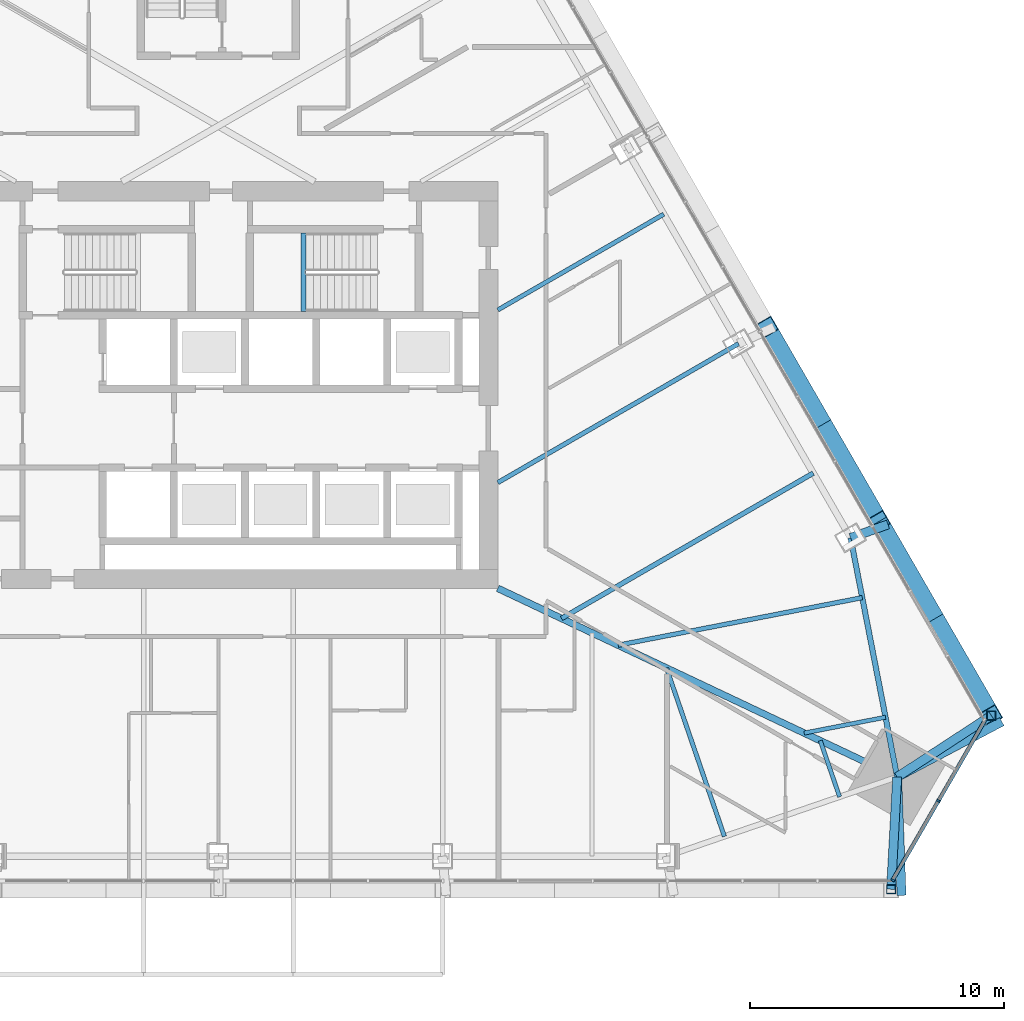
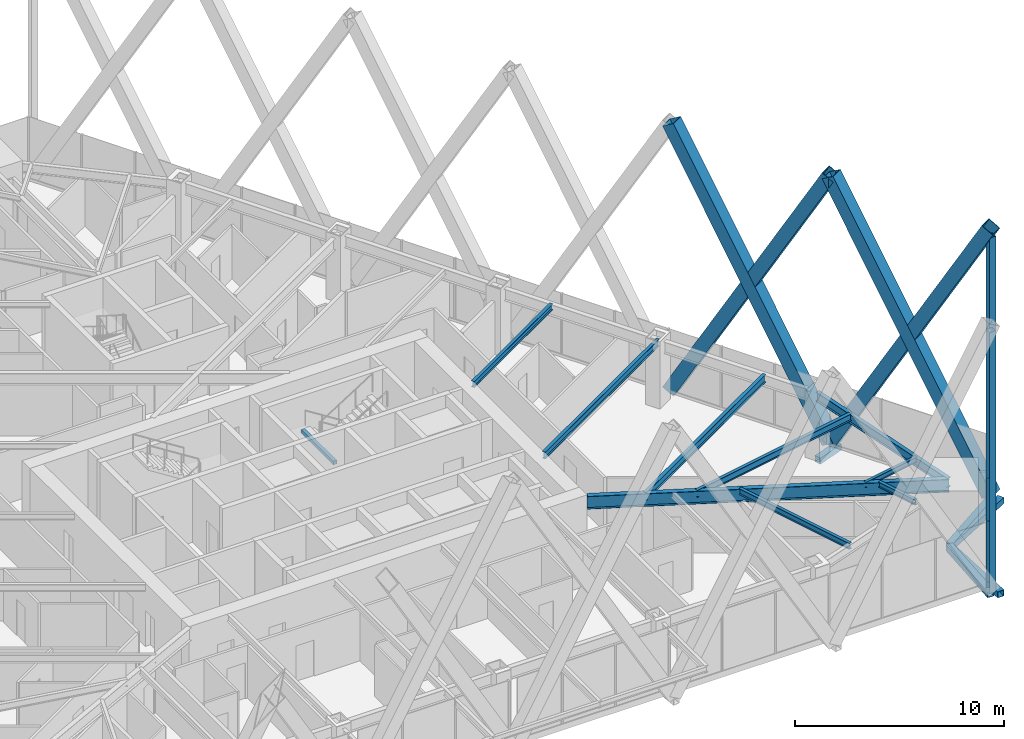
# One storey, part 5 of 19: 14 members, 10 beams, 1 element without a shape of its own.
"""IFC4 building model written with IfcOpenShell, lengths in metres."""

from ifc_helpers import new_model, si_unit, direction, frame, origin, origin_2d, place, context, subcontext, project, spatial, rectangle, hollow_rectangle, i_section, extrude, material, layer, layer_set, material_profile, profile_set, type_object, element, aggregate, save


model = new_model("IFC4")

# Units and contexts
model_context = context("Model", 3, precision=1e-05, world=origin(), true_north=direction((0.0, 1.0)))
body_context = subcontext(model_context, "Body", "Model", "MODEL_VIEW")
ifc_project = project(units=[si_unit("LENGTHUNIT", "METRE"), si_unit("AREAUNIT", "SQUARE_METRE"), si_unit("VOLUMEUNIT", "CUBIC_METRE"), si_unit("PLANEANGLEUNIT", "RADIAN"), si_unit("MASSUNIT", "GRAM", prefix="KILO")], contexts=[model_context])

# Site, building, storey
site_placement = place(None, origin())
site = spatial("IfcSite", under=ifc_project, at=site_placement, CompositionType="ELEMENT")
building_placement = place(site_placement, origin())
building = spatial("IfcBuilding", under=site, at=building_placement, Name="Firuza Gate Tower and Library", CompositionType="ELEMENT")
storey_placement = place(building_placement, frame((0.0, 0.0, 187.0)))
storey = spatial("IfcBuildingStorey", under=building, at=storey_placement, Name="L43", CompositionType="ELEMENT", Elevation=187.0)

# Members
ifc_material_1 = material(Name="Steel S355", Category="steel")
ifc_material_profile_1 = material_profile(ifc_material_1, hollow_rectangle(XDim=0.699951171875, YDim=0.699951171875, WallThickness=0.030029296875, at=origin_2d()))
ifc_profile_set_1 = profile_set([ifc_material_profile_1], Name="Steel S355")
member_type_1 = type_object("IfcMemberType", Name="BU700x700x30 Lattice brace", PredefinedType="BRACE", material=ifc_profile_set_1)
for number, where, z_axis, x_axis, name in (
    (1, (105.41796875, 61.9951171875, 0.0), (-0.246161322195, 0.426365413352, 0.870412050556), (-0.866026163676, -0.499998683827, 0.0), "Lattice brace E 10.1R"),
    (2, (101.006103515625, 69.63671875, 0.0), (0.246161322195, -0.426365413352, 0.870412050556), (0.866026163676, 0.499998683827, 0.0), "Lattice brace E 10.1L"),
):
    element("IfcMember", number, at=place(storey_placement, frame(where, z_axis=z_axis, x_axis=x_axis)), inside=storey, type_object=member_type_1, Name=name, PredefinedType="BRACE", context=body_context, shape_type="SweptSolid", body=[
        extrude(hollow_rectangle(XDim=0.699951171875, YDim=0.699951171875, WallThickness=0.030029296875, at=origin_2d()), origin(), (0.0, 0.0, 1.0), 17.922607421875),
    ])
for number, where, z_axis, x_axis, name in (
    (3, (101.006103515625, 69.63671875, 0.0), (-0.246159892502, 0.426376558863, 0.870406995247), (-0.866033080533, -0.499986703246, 0.0), "Lattice brace E 10.2R"),
    (4, (96.59423828125, 77.278564453125, 0.0), (0.246159892502, -0.426376558863, 0.870406995247), (0.866033080533, 0.499986703246, 0.0), "Lattice brace E 10.2L"),
):
    element("IfcMember", number, at=place(storey_placement, frame(where, z_axis=z_axis, x_axis=x_axis)), inside=storey, type_object=member_type_1, Name=name, PredefinedType="BRACE", context=body_context, shape_type="SweptSolid", body=[
        extrude(hollow_rectangle(XDim=0.699951171875, YDim=0.699951171875, WallThickness=0.030029296875, at=origin_2d()), origin(), (0.0, 0.0, 1.0), 17.9228515625),
    ])

# Curtain wall, members
ifc_material_2 = material(Name="Aluminium 6063-T6", Category="aluminium")
ifc_layer = layer(ifc_material_2, 0.14990234375)
ifc_layer_set = layer_set([ifc_layer], Name="Corner curtain wall, chamfers")
curtain_wall_type = type_object("IfcCurtainWallType", Name="Corner curtain wall, chamfers", PredefinedType="NOTDEFINED", material=ifc_layer_set)
curtain_wall_placement = place(storey_placement, origin())
curtain_wall = element("IfcCurtainWall", 5, at=curtain_wall_placement, inside=storey, type_object=curtain_wall_type, Name="CW4 L43 SE corner", PredefinedType="NOTDEFINED")
ifc_material_3 = material(Name="Aluminium 6063-T6", Category="aluminium")
ifc_material_profile_2 = material_profile(ifc_material_3, rectangle(XDim=0.14990234375, YDim=0.080078125, at=origin_2d()))
ifc_profile_set_2 = profile_set([ifc_material_profile_2], Name="Aluminium 6063-T6")
member_type_2 = type_object("IfcMemberType", Name="Curtain wall mullion 80x150", PredefinedType="MULLION", material=ifc_profile_set_2)
member_1_placement = place(storey_placement, frame((101.534912109375, 55.519287109375, 0.14990234375), z_axis=(0.0, 0.0, 1.0), x_axis=(-0.866025403784, 0.5, 0.0)))
member_1 = element("IfcMember", 6, at=member_1_placement, type_object=member_type_2, Name="Mullion", PredefinedType="MULLION", context=body_context, shape_type="SweptSolid", body=[
    extrude(rectangle(XDim=0.14990234375, YDim=0.080078125, at=origin_2d()), origin(), (0.0, 0.0, 1.0), 3.550048828125),
])
member_2_placement = place(storey_placement, frame((103.33642578125, 58.639892578125, 0.14990234375), z_axis=(0.0, 0.0, 1.0), x_axis=(-0.866025403784, 0.5, 0.0)))
member_2 = element("IfcMember", 7, at=member_2_placement, type_object=member_type_2, Name="Mullion", PredefinedType="MULLION", context=body_context, shape_type="SweptSolid", body=[
    extrude(rectangle(XDim=0.14990234375, YDim=0.080078125, at=origin_2d()), origin(), (0.0, 0.0, 1.0), 3.550048828125),
])
ifc_material_4 = material(Name="Aluminium 6063-T6", Category="aluminium")
ifc_material_profile_3 = material_profile(ifc_material_4, rectangle(XDim=0.14990234375, YDim=0.35009765625, at=origin_2d()))
ifc_profile_set_3 = profile_set([ifc_material_profile_3], Name="Aluminium 6063-T6")
member_type_3 = type_object("IfcMemberType", Name="Curtain wall transom 350x150", PredefinedType="USERDEFINED", material=ifc_profile_set_3)
member_3_placement = place(storey_placement, frame((101.514892578125, 55.484619140625, -0.02490234375), z_axis=(0.499991211061, 0.866030478021, 0.0), x_axis=(-0.866030478021, 0.499991211061, 0.0)))
member_3 = element("IfcMember", 8, at=member_3_placement, type_object=member_type_3, Name="Transom", ObjectType="TRANSOM", PredefinedType="USERDEFINED", context=body_context, shape_type="SweptSolid", body=[
    extrude(rectangle(XDim=0.14990234375, YDim=0.35009765625, at=origin_2d()), origin(), (0.0, 0.0, 1.0), 7.286865234375),
])
aggregate(curtain_wall, [member_1, member_2, member_3])

# Members
ifc_material_5 = material(Name="Steel S355", Category="steel")
ifc_material_profile_4 = material_profile(ifc_material_5, hollow_rectangle(XDim=0.355712890625, YDim=0.355712890625, WallThickness=0.014892578125, at=origin_2d()))
ifc_profile_set_4 = profile_set([ifc_material_profile_4], Name="Steel S355")
member_type_4 = type_object("IfcMemberType", Name="HSS356x356x16 Lattice corner stile", PredefinedType="BRACE", material=ifc_profile_set_4)
for number, where, z_axis, x_axis, name in (
    (9, (101.4716796875, 55.15966796875, -0.139892578125), (0.0, 0.0, 1.0), (1.0, 0.0, 0.0), "Lattice corner stile S 10.B"),
    (10, (105.41796875, 61.9951171875, -0.139892578125), (0.0, 0.0, 1.0), (1.0, 0.0, 0.0), "Lattice corner stile E 10.A"),
):
    element("IfcMember", number, at=place(storey_placement, frame(where, z_axis=z_axis, x_axis=x_axis)), inside=storey, type_object=member_type_4, Name=name, PredefinedType="BRACE", context=body_context, shape_type="SweptSolid", body=[
        extrude(hollow_rectangle(XDim=0.355712890625, YDim=0.355712890625, WallThickness=0.014892578125, at=origin_2d()), origin(), (0.0, 0.0, 1.0), 15.239990234375),
    ])
ifc_material_6 = material(Name="Steel S355", Category="steel")
ifc_material_profile_5 = material_profile(ifc_material_6, hollow_rectangle(XDim=0.355712890625, YDim=0.355712890625, WallThickness=0.014892578125, at=origin_2d()))
ifc_profile_set_5 = profile_set([ifc_material_profile_5], Name="Steel S355")
member_type_5 = type_object("IfcMemberType", Name="HSS356x356x16 Lattice node tie", PredefinedType="BRACE", material=ifc_profile_set_5)
member_4_placement = place(storey_placement, frame((99.880126953125, 68.98681640625, -0.320068359375), z_axis=(0.940755991267, 0.339084303523, 0.0), x_axis=(-0.339084303523, 0.940755991267, 0.0)))
element("IfcMember", 11, at=member_4_placement, inside=storey, type_object=member_type_5, Name="Lattice node tie E L43 208", PredefinedType="BRACE", context=body_context, shape_type="SweptSolid", body=[
    extrude(hollow_rectangle(XDim=0.355712890625, YDim=0.355712890625, WallThickness=0.014892578125, at=origin_2d()), origin(), (0.0, 0.0, 1.0), 1.563720703125),
])
member_5_placement = place(storey_placement, frame((101.712646484375, 59.577392578125, -0.320068359375), z_axis=(0.884010822898, 0.46746643195, 0.0), x_axis=(-0.46746643195, 0.884010822898, 0.0)))
element("IfcMember", 12, at=member_5_placement, inside=storey, type_object=member_type_5, Name="Lattice node tie E L43 209", PredefinedType="BRACE", context=body_context, shape_type="SweptSolid", body=[
    extrude(hollow_rectangle(XDim=0.355712890625, YDim=0.355712890625, WallThickness=0.014892578125, at=origin_2d()), origin(), (0.0, 0.0, 1.0), 4.66015625),
])
member_6_placement = place(storey_placement, frame((101.712646484375, 59.577392578125, -0.320068359375), z_axis=(0.837485429113, 0.546459656355, 0.0), x_axis=(-0.546459656355, 0.837485429113, 0.0)))
element("IfcMember", 13, at=member_6_placement, inside=storey, type_object=member_type_5, Name="Lattice node tie E L43 210", PredefinedType="BRACE", context=body_context, shape_type="SweptSolid", body=[
    extrude(hollow_rectangle(XDim=0.355712890625, YDim=0.355712890625, WallThickness=0.014892578125, at=origin_2d()), origin(), (0.0, 0.0, 1.0), 4.42431640625),
])
member_7_placement = place(storey_placement, frame((101.712646484375, 59.577392578125, -0.320068359375), z_axis=(0.037145365408, -0.999309872777, 0.0), x_axis=(0.999309872777, 0.037145365408, 0.0)))
element("IfcMember", 14, at=member_7_placement, inside=storey, type_object=member_type_5, Name="Lattice node tie S L43 218", PredefinedType="BRACE", context=body_context, shape_type="SweptSolid", body=[
    extrude(hollow_rectangle(XDim=0.355712890625, YDim=0.355712890625, WallThickness=0.014892578125, at=origin_2d()), origin(), (0.0, 0.0, 1.0), 4.659912109375),
])
member_8_placement = place(storey_placement, frame((101.712646484375, 59.577392578125, -0.320068359375), z_axis=(-0.05446449316, -0.998515707931, 0.0), x_axis=(0.998515707931, -0.05446449316, 0.0)))
element("IfcMember", 15, at=member_8_placement, inside=storey, type_object=member_type_5, Name="Lattice node tie S L43 219", PredefinedType="BRACE", context=body_context, shape_type="SweptSolid", body=[
    extrude(hollow_rectangle(XDim=0.355712890625, YDim=0.355712890625, WallThickness=0.014892578125, at=origin_2d()), origin(), (0.0, 0.0, 1.0), 4.42431640625),
])

# Beams
ifc_material_7 = material(Name="Concrete C35/45", Category="concrete")
ifc_material_profile_6 = material_profile(ifc_material_7, rectangle(XDim=0.199951171875, YDim=0.199951171875, at=origin_2d()))
ifc_profile_set_6 = profile_set([ifc_material_profile_6], Name="Concrete C35/45")
beam_type_1 = type_object("IfcBeamType", Name="Stair landing bearer 200x200", PredefinedType="BEAM", material=ifc_profile_set_6)
beam_1_placement = place(storey_placement, frame((78.360107421875, 80.97998046875, 1.64990234375), z_axis=(0.0, -1.0, 0.0), x_axis=(1.0, 0.0, 0.0)))
element("IfcBeam", 16, at=beam_1_placement, inside=storey, type_object=beam_type_1, Name="Landing bearer L43 stair 2", PredefinedType="BEAM", context=body_context, shape_type="SweptSolid", body=[
    extrude(rectangle(XDim=0.199951171875, YDim=0.199951171875, at=origin_2d()), origin(), (0.0, 0.0, 1.0), 3.080078125),
])
ifc_material_8 = material(Name="Steel S355", Category="steel")
ifc_material_profile_7 = material_profile(ifc_material_8, i_section(OverallWidth=0.1650390625, OverallDepth=0.31005859375, WebThickness=0.005859375, FlangeThickness=0.009765625, at=origin_2d()))
ifc_profile_set_7 = profile_set([ifc_material_profile_7], Name="Steel S355")
beam_type_2 = type_object("IfcBeamType", Name="W310x39 Floor beam", PredefinedType="JOIST", material=ifc_profile_set_7)
beam_2_placement = place(storey_placement, frame((99.446533203125, 58.798095703125, 3.544921875), z_axis=(-0.325275479668, 0.945619300949, 0.0), x_axis=(-0.945619300949, -0.325275479668, 0.0)))
element("IfcBeam", 17, at=beam_2_placement, inside=storey, type_object=beam_type_2, Name="Floor beam L43 s31", PredefinedType="JOIST", context=body_context, shape_type="SweptSolid", body=[
    extrude(i_section(OverallWidth=0.1650390625, OverallDepth=0.31005859375, WebThickness=0.005859375, FlangeThickness=0.009765625, at=origin_2d()), origin(), (0.0, 0.0, 1.0), 2.335693359375),
])
beam_3_placement = place(storey_placement, frame((101.254638671875, 61.9296875, 3.544921875), z_axis=(-0.981558472637, -0.191162142681, 0.0), x_axis=(0.191162142681, -0.981558472637, 0.0)))
element("IfcBeam", 18, at=beam_3_placement, inside=storey, type_object=beam_type_2, Name="Floor beam L43 s40", PredefinedType="JOIST", context=body_context, shape_type="SweptSolid", body=[
    extrude(i_section(OverallWidth=0.1650390625, OverallDepth=0.31005859375, WebThickness=0.005859375, FlangeThickness=0.009765625, at=origin_2d()), origin(), (0.0, 0.0, 1.0), 3.26171875),
])
ifc_material_9 = material(Name="Steel S355", Category="steel")
ifc_material_profile_8 = material_profile(ifc_material_9, i_section(OverallWidth=0.1708984375, OverallDepth=0.35498046875, WebThickness=0.007080078125, FlangeThickness=0.01171875, at=origin_2d()))
ifc_profile_set_8 = profile_set([ifc_material_profile_8], Name="Steel S355")
beam_type_3 = type_object("IfcBeamType", Name="W360x51 Floor beam", PredefinedType="JOIST", material=ifc_profile_set_8)
beam_4_placement = place(storey_placement, frame((94.9140625, 57.239013671875, 3.5224609375), z_axis=(-0.32522289411, 0.945637387769, 0.0), x_axis=(-0.945637387769, -0.32522289411, 0.0)))
element("IfcBeam", 19, at=beam_4_placement, inside=storey, type_object=beam_type_3, Name="Floor beam L43 s30", PredefinedType="JOIST", context=body_context, shape_type="SweptSolid", body=[
    extrude(i_section(OverallWidth=0.1708984375, OverallDepth=0.35498046875, WebThickness=0.007080078125, FlangeThickness=0.01171875, at=origin_2d()), origin(), (0.0, 0.0, 1.0), 7.007568359375),
])
beam_5_placement = place(storey_placement, frame((92.527099609375, 81.722900390625, 3.5224609375), z_axis=(-0.866031848217, -0.499988837749, 0.0), x_axis=(0.499988837749, -0.866031848217, 0.0)))
element("IfcBeam", 20, at=beam_5_placement, inside=storey, type_object=beam_type_3, Name="Floor beam L43 s52", PredefinedType="JOIST", context=body_context, shape_type="SweptSolid", body=[
    extrude(i_section(OverallWidth=0.1708984375, OverallDepth=0.35498046875, WebThickness=0.007080078125, FlangeThickness=0.01171875, at=origin_2d()), origin(), (0.0, 0.0, 1.0), 7.536865234375),
])
ifc_material_10 = material(Name="Steel S355", Category="steel")
ifc_material_profile_9 = material_profile(ifc_material_10, i_section(OverallWidth=0.177978515625, OverallDepth=0.406982421875, WebThickness=0.0078125, FlangeThickness=0.0126953125, at=origin_2d()))
ifc_profile_set_9 = profile_set([ifc_material_profile_9], Name="Steel S355")
beam_type_4 = type_object("IfcBeamType", Name="W410x60 Floor beam", PredefinedType="JOIST", material=ifc_profile_set_9)
beam_6_placement = place(storey_placement, frame((100.33837890625, 66.634521484375, 3.49658203125), z_axis=(-0.981557560879, -0.191166824215, 0.0), x_axis=(0.191166824215, -0.981557560879, 0.0)))
element("IfcBeam", 21, at=beam_6_placement, inside=storey, type_object=beam_type_4, Name="Floor beam L43 s41", PredefinedType="JOIST", context=body_context, shape_type="SweptSolid", body=[
    extrude(i_section(OverallWidth=0.177978515625, OverallDepth=0.406982421875, WebThickness=0.0078125, FlangeThickness=0.0126953125, at=origin_2d()), origin(), (0.0, 0.0, 1.0), 9.78515625),
])
beam_7_placement = place(storey_placement, frame((95.46826171875, 76.62841796875, 3.49658203125), z_axis=(-0.866023451907, -0.500003380735, 0.0), x_axis=(0.500003380735, -0.866023451907, 0.0)))
element("IfcBeam", 22, at=beam_7_placement, inside=storey, type_object=beam_type_4, Name="Floor beam L43 s51", PredefinedType="JOIST", context=body_context, shape_type="SweptSolid", body=[
    extrude(i_section(OverallWidth=0.177978515625, OverallDepth=0.406982421875, WebThickness=0.0078125, FlangeThickness=0.0126953125, at=origin_2d()), origin(), (0.0, 0.0, 1.0), 10.93310546875),
])
ifc_material_11 = material(Name="Steel S355", Category="steel")
ifc_material_profile_10 = material_profile(ifc_material_11, i_section(OverallWidth=0.18994140625, OverallDepth=0.45703125, WebThickness=0.009033203125, FlangeThickness=0.014404296875, at=origin_2d()))
ifc_profile_set_10 = profile_set([ifc_material_profile_10], Name="Steel S355")
beam_type_5 = type_object("IfcBeamType", Name="W460x74 Floor beam", PredefinedType="JOIST", material=ifc_profile_set_10)
beam_8_placement = place(storey_placement, frame((98.40966796875, 71.533935546875, 3.471435546875), z_axis=(-0.866027379035, -0.49999657875, 0.0), x_axis=(0.49999657875, -0.866027379035, 0.0)))
element("IfcBeam", 23, at=beam_8_placement, inside=storey, type_object=beam_type_5, Name="Floor beam L43 s50", PredefinedType="JOIST", context=body_context, shape_type="SweptSolid", body=[
    extrude(i_section(OverallWidth=0.18994140625, OverallDepth=0.45703125, WebThickness=0.009033203125, FlangeThickness=0.014404296875, at=origin_2d()), origin(), (0.0, 0.0, 1.0), 11.435546875),
])
ifc_material_12 = material(Name="Steel S355", Category="steel")
ifc_material_profile_11 = material_profile(ifc_material_12, i_section(OverallWidth=0.212890625, OverallDepth=0.5390625, WebThickness=0.01171875, FlangeThickness=0.018798828125, at=origin_2d()))
ifc_profile_set_11 = profile_set([ifc_material_profile_11], Name="Steel S355")
beam_type_6 = type_object("IfcBeamType", Name="W530x109 Edge beam", PredefinedType="SPANDREL", material=ifc_profile_set_11)
beam_9_placement = place(storey_placement, frame((101.712646484375, 59.577392578125, 3.430419921875), z_axis=(-0.191162086549, 0.981558483569, 0.0), x_axis=(-0.981558483569, -0.191162086549, 0.0)))
element("IfcBeam", 24, at=beam_9_placement, inside=storey, type_object=beam_type_6, Name="Edge beam L43 e40", PredefinedType="SPANDREL", context=body_context, shape_type="SweptSolid", body=[
    extrude(i_section(OverallWidth=0.212890625, OverallDepth=0.5390625, WebThickness=0.01171875, FlangeThickness=0.018798828125, at=origin_2d()), origin(), (0.0, 0.0, 1.0), 9.586181640625),
])
ifc_material_13 = material(Name="Steel S355", Category="steel")
ifc_material_profile_12 = material_profile(ifc_material_13, i_section(OverallWidth=0.264892578125, OverallDepth=0.7529296875, WebThickness=0.01318359375, FlangeThickness=0.01708984375, at=origin_2d()))
ifc_profile_set_12 = profile_set([ifc_material_profile_12], Name="Steel S355")
beam_type_7 = type_object("IfcBeamType", Name="W760x147 Girder", PredefinedType="BEAM", material=ifc_profile_set_12)
beam_10_placement = place(storey_placement, frame((101.712646484375, 59.577392578125, 3.323486328125), z_axis=(-0.904187610241, 0.427135535266, 0.0), x_axis=(-0.427135535266, -0.904187610241, 0.0)))
element("IfcBeam", 25, at=beam_10_placement, inside=storey, type_object=beam_type_7, Name="Girder L43 gSE", PredefinedType="BEAM", context=body_context, shape_type="SweptSolid", body=[
    extrude(i_section(OverallWidth=0.264892578125, OverallDepth=0.7529296875, WebThickness=0.01318359375, FlangeThickness=0.01708984375, at=origin_2d()), origin(), (0.0, 0.0, 1.0), 17.377685546875),
])

save(model, "model.ifc")
